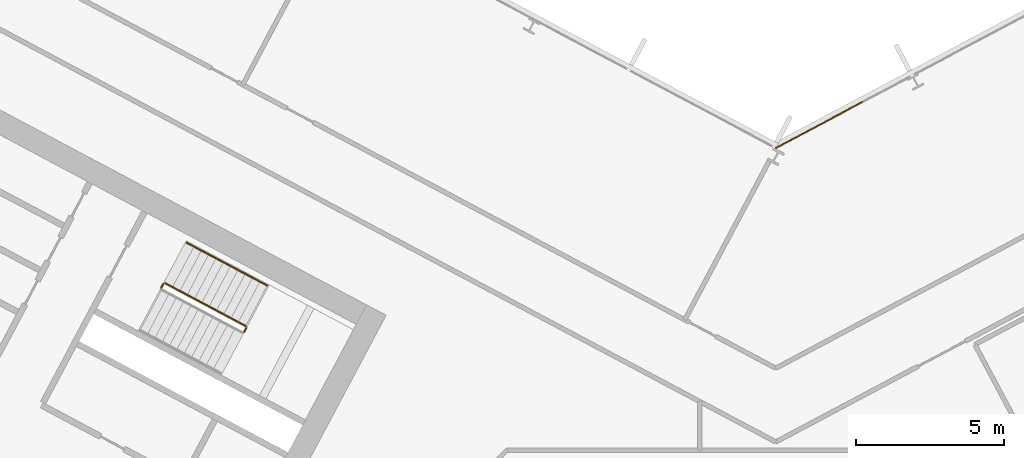
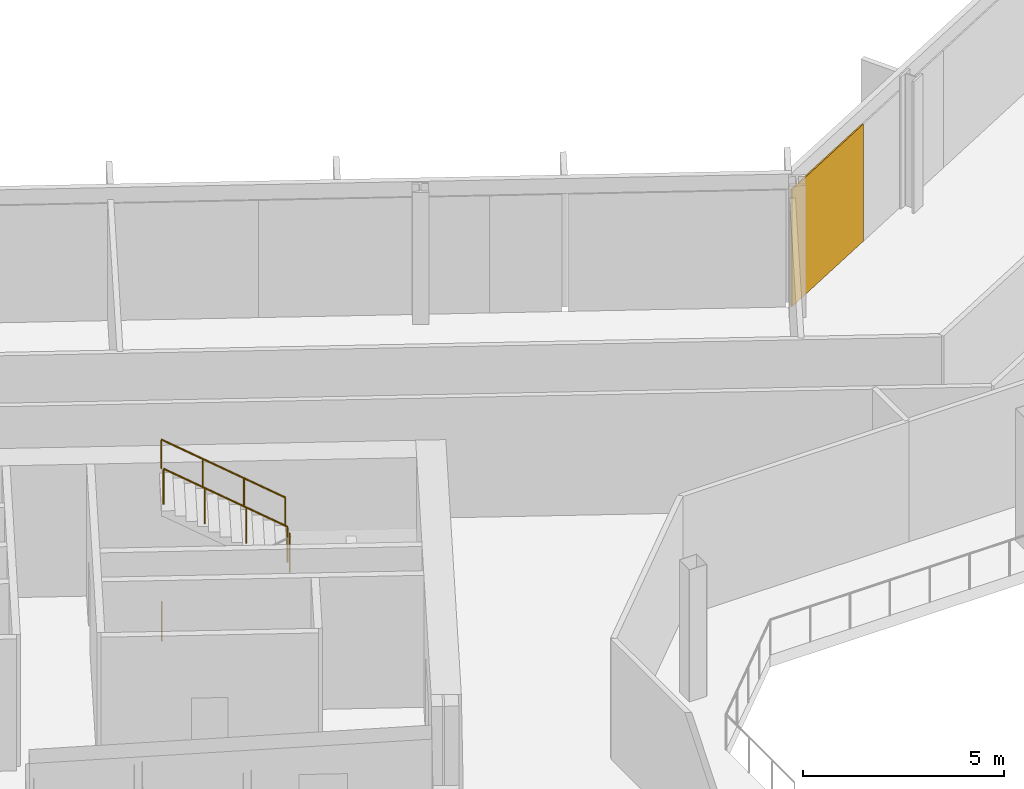
# One storey, part 23 of 28: 4 railings, 1 covering, 1 element without a shape of its own.
"""IFC4 building model written with IfcOpenShell, lengths in metres."""

from ifc_helpers import new_model, si_unit, direction, frame, origin, origin_2d, place, context, subcontext, project, spatial, polyline, rectangle, outline, extrude, material, layer, layer_set, type_object, element, aggregate, save


model = new_model("IFC4")

# Units and contexts
model_context = context("Model", 3, precision=1e-05, world=origin(), true_north=direction((0.0, 1.0)))
body_context = subcontext(model_context, "Body", "Model", "MODEL_VIEW")
ifc_project = project(units=[si_unit("LENGTHUNIT", "METRE"), si_unit("AREAUNIT", "SQUARE_METRE"), si_unit("VOLUMEUNIT", "CUBIC_METRE"), si_unit("PLANEANGLEUNIT", "RADIAN"), si_unit("MASSUNIT", "GRAM", prefix="KILO")], contexts=[model_context])

# Site, building, storey
site_placement = place(None, origin())
site = spatial("IfcSite", under=ifc_project, at=site_placement, CompositionType="ELEMENT")
building_placement = place(site_placement, origin())
building = spatial("IfcBuilding", under=site, at=building_placement, Name="Cormorant Relay Tower", CompositionType="ELEMENT")
storey_placement = place(building_placement, frame((0.0, 0.0, 162.199951171875)))
storey = spatial("IfcBuildingStorey", under=building, at=storey_placement, Name="L34", CompositionType="ELEMENT", Elevation=162.199951171875)

# Curtain wall, covering
ifc_material_1 = material(Name="Aluminium 6063-T6 anodised bronze", Category="aluminium")
ifc_layer_1 = layer(ifc_material_1, 0.199951171875)
ifc_layer_set_1 = layer_set([ifc_layer_1], Name="CW1 unitised bronze curtain wall with vertical fins")
curtain_wall_type = type_object("IfcCurtainWallType", Name="CW1 unitised bronze curtain wall with vertical fins", PredefinedType="NOTDEFINED", material=ifc_layer_set_1)
curtain_wall_placement = place(storey_placement, origin())
curtain_wall = element("IfcCurtainWall", 1, at=curtain_wall_placement, inside=storey, type_object=curtain_wall_type, Name="CW1 curtain wall 8", PredefinedType="NOTDEFINED")
ifc_material_2 = material(Name="Pale bronze anodised aluminium insulated panel", Category="aluminium")
ifc_layer_2 = layer(ifc_material_2, 0.0400390625)
ifc_layer_set_2 = layer_set([ifc_layer_2], Name="CW1 pale bronze insulated panel 40")
covering_type = type_object("IfcCoveringType", Name="CW1 pale bronze insulated panel 40", PredefinedType="CLADDING", material=ifc_layer_set_2)
covering_placement = place(storey_placement, frame((1.471435546875, 24.589111328125, 0.0), z_axis=(0.0, 0.0, 1.0), x_axis=(-0.882947592859, -0.469471562786, 0.0)))
covering = element("IfcCovering", 2, at=covering_placement, type_object=covering_type, Name="CW1 panel S10", PredefinedType="CLADDING", context=body_context, shape_type="SweptSolid", body=[
    extrude(rectangle(XDim=3.354248046875, YDim=0.0400390625, at=origin_2d()), origin(), (0.0, 0.0, 1.0), 3.550048828125),
])
aggregate(curtain_wall, [covering])

# Railings
ifc_material_3 = material(Name="Steel ASTM A572 Grade 50 (Fy 345 MPa)", Category="steel")
railing_type_1 = type_object("IfcRailingType", Name="Stair guard 1100", PredefinedType="GUARDRAIL", material=ifc_material_3)
railing_1_placement = place(storey_placement, frame((-17.96337890625, 17.592529296875, 2.0)))
element("IfcRailing", 3, at=railing_1_placement, inside=storey, type_object=railing_type_1, Name="L34 A1 stair guard 2", PredefinedType="GUARDRAIL", context=body_context, shape_type="SweptSolid", body=[
    extrude(outline(polyline([(0.022216796875, 0.00927734375), (0.00927734375, 0.022216796875), (-0.00927734375, 0.022216796875), (-0.022216796875, 0.00927734375), (-0.022216796875, -0.00927734375), (-0.00927734375, -0.022216796875), (0.00927734375, -0.022216796875), (0.022216796875, -0.00927734375), (0.022216796875, 0.00927734375)])), frame((0.0, 0.0, 1.076171875), z_axis=(0.46856034887, 0.8834314911, 0.0), x_axis=(-0.8834314911, 0.46856034887, 0.0)), (0.0, 0.0, 1.0), 0.150146484375),
    extrude(outline(polyline([(0.019287109375, 0.008056640625), (0.008056640625, 0.019287109375), (-0.008056640625, 0.019287109375), (-0.019287109375, 0.008056640625), (-0.019287109375, -0.008056640625), (-0.008056640625, -0.019287109375), (0.008056640625, -0.019287109375), (0.019287109375, -0.008056640625), (0.019287109375, 0.008056640625)])), origin(), (0.0, 0.0, 1.0), 1.052001953125),
    extrude(outline(polyline([(0.019287109375, 0.008056640625), (0.008056640625, 0.019287109375), (-0.008056640625, 0.019287109375), (-0.019287109375, 0.008056640625), (-0.019287109375, -0.008056640625), (-0.008056640625, -0.019287109375), (0.008056640625, -0.019287109375), (0.019287109375, -0.008056640625), (0.019287109375, 0.008056640625)])), frame((0.0703125, 0.132568359375, 0.0)), (0.0, 0.0, 1.0), 1.052001953125),
])
railing_2_placement = place(storey_placement, frame((-17.913818359375, 17.792724609375, 2.166748046875)))
element("IfcRailing", 4, at=railing_2_placement, inside=storey, type_object=railing_type_1, Name="L34 A1 stair guard 3", PredefinedType="GUARDRAIL", context=body_context, shape_type="SweptSolid", body=[
    extrude(outline(polyline([(0.022216796875, 0.00927734375), (0.00927734375, 0.022216796875), (-0.00927734375, 0.022216796875), (-0.022216796875, 0.00927734375), (-0.022216796875, -0.00927734375), (-0.00927734375, -0.022216796875), (0.00927734375, -0.022216796875), (0.022216796875, -0.00927734375), (0.022216796875, 0.00927734375)])), frame((0.0, 0.0, 1.076171875), z_axis=(-0.758734504837, 0.403377838015, 0.511476559549), x_axis=(-0.469427602063, -0.882970965786, 0.0)), (0.0, 0.0, 1.0), 3.584228515625),
    extrude(outline(polyline([(0.019287109375, 0.008056640625), (0.008056640625, 0.019287109375), (-0.008056640625, 0.019287109375), (-0.019287109375, 0.008056640625), (-0.019287109375, -0.008056640625), (-0.008056640625, -0.019287109375), (0.008056640625, -0.019287109375), (0.019287109375, -0.008056640625), (0.019287109375, 0.008056640625)])), origin(), (0.0, 0.0, 1.0), 1.052001953125),
    extrude(outline(polyline([(0.019287109375, 0.008056640625), (0.008056640625, 0.019287109375), (-0.008056640625, 0.019287109375), (-0.019287109375, 0.008056640625), (-0.019287109375, -0.008056640625), (-0.008056640625, -0.019287109375), (0.008056640625, -0.019287109375), (0.019287109375, -0.008056640625), (0.019287109375, 0.008056640625)])), frame((-0.906494140625, 0.48193359375, 0.611083984375)), (0.0, 0.0, 1.0), 1.052001953125),
    extrude(outline(polyline([(0.019287109375, 0.008056640625), (0.008056640625, 0.019287109375), (-0.008056640625, 0.019287109375), (-0.019287109375, 0.008056640625), (-0.019287109375, -0.008056640625), (-0.008056640625, -0.019287109375), (0.008056640625, -0.019287109375), (0.019287109375, -0.008056640625), (0.019287109375, 0.008056640625)])), frame((-1.81298828125, 0.9638671875, 1.22216796875)), (0.0, 0.0, 1.0), 1.052001953125),
    extrude(outline(polyline([(0.019287109375, 0.008056640625), (0.008056640625, 0.019287109375), (-0.008056640625, 0.019287109375), (-0.019287109375, 0.008056640625), (-0.019287109375, -0.008056640625), (-0.008056640625, -0.019287109375), (0.008056640625, -0.019287109375), (0.019287109375, -0.008056640625), (0.019287109375, 0.008056640625)])), frame((-2.719482421875, 1.44580078125, 1.833251953125)), (0.0, 0.0, 1.0), 1.052001953125),
])
railing_3_placement = place(storey_placement, frame((-20.771240234375, 19.08544921875, 0.0)))
element("IfcRailing", 5, at=railing_3_placement, inside=storey, type_object=railing_type_1, Name="L34 A1 stair guard 4", PredefinedType="GUARDRAIL", context=body_context, shape_type="SweptSolid", body=[
    extrude(outline(polyline([(0.022216796875, 0.00927734375), (0.00927734375, 0.022216796875), (-0.00927734375, 0.022216796875), (-0.022216796875, 0.00927734375), (-0.022216796875, -0.00927734375), (-0.00927734375, -0.022216796875), (0.00927734375, -0.022216796875), (0.022216796875, -0.00927734375), (0.022216796875, 0.00927734375)])), frame((0.0, 0.0, 1.076171875), z_axis=(0.469828648786, 0.882757634224, 0.0), x_axis=(-0.882757634224, 0.469828648786, 0.0)), (0.0, 0.0, 1.0), 0.150146484375),
    extrude(outline(polyline([(0.019287109375, 0.008056640625), (0.008056640625, 0.019287109375), (-0.008056640625, 0.019287109375), (-0.019287109375, 0.008056640625), (-0.019287109375, -0.008056640625), (-0.008056640625, -0.019287109375), (0.008056640625, -0.019287109375), (0.019287109375, -0.008056640625), (0.019287109375, 0.008056640625)])), origin(), (0.0, 0.0, 1.0), 1.052001953125),
    extrude(outline(polyline([(0.019287109375, 0.008056640625), (0.008056640625, 0.019287109375), (-0.008056640625, 0.019287109375), (-0.019287109375, 0.008056640625), (-0.019287109375, -0.008056640625), (-0.008056640625, -0.019287109375), (0.008056640625, -0.019287109375), (0.019287109375, -0.008056640625), (0.019287109375, 0.008056640625)])), frame((0.070556640625, 0.132568359375, 0.0)), (0.0, 0.0, 1.0), 1.052001953125),
])
ifc_material_4 = material(Name="Steel ASTM A572 Grade 50 (Fy 345 MPa)", Category="steel")
railing_type_2 = type_object("IfcRailingType", Name="Stair handrail 900", PredefinedType="HANDRAIL", material=ifc_material_4)
railing_4_placement = place(storey_placement, frame((-17.18603515625, 19.1611328125, 2.166748046875)))
element("IfcRailing", 6, at=railing_4_placement, inside=storey, type_object=railing_type_2, Name="L34 A1 stair handrail 2", PredefinedType="HANDRAIL", context=body_context, shape_type="SweptSolid", body=[
    extrude(outline(polyline([(0.022216796875, 0.00927734375), (0.00927734375, 0.022216796875), (-0.00927734375, 0.022216796875), (-0.022216796875, 0.00927734375), (-0.022216796875, -0.00927734375), (-0.00927734375, -0.022216796875), (0.00927734375, -0.022216796875), (0.022216796875, -0.00927734375), (0.022216796875, 0.00927734375)])), frame((0.0, 0.0, 0.8759765625), z_axis=(-0.758713656843, 0.403434867536, 0.511462505542), x_axis=(-0.469489399267, -0.882938108802, 0.0)), (0.0, 0.0, 1.0), 3.584228515625),
    extrude(outline(polyline([(0.019287109375, 0.008056640625), (0.008056640625, 0.019287109375), (-0.008056640625, 0.019287109375), (-0.019287109375, 0.008056640625), (-0.019287109375, -0.008056640625), (-0.008056640625, -0.019287109375), (0.008056640625, -0.019287109375), (0.019287109375, -0.008056640625), (0.019287109375, 0.008056640625)])), origin(), (0.0, 0.0, 1.0), 0.851806640625),
    extrude(outline(polyline([(0.019287109375, 0.008056640625), (0.008056640625, 0.019287109375), (-0.008056640625, 0.019287109375), (-0.019287109375, 0.008056640625), (-0.019287109375, -0.008056640625), (-0.008056640625, -0.019287109375), (0.008056640625, -0.019287109375), (0.019287109375, -0.008056640625), (0.019287109375, 0.008056640625)])), frame((-0.906494140625, 0.48193359375, 0.611083984375)), (0.0, 0.0, 1.0), 0.851806640625),
    extrude(outline(polyline([(0.019287109375, 0.008056640625), (0.008056640625, 0.019287109375), (-0.008056640625, 0.019287109375), (-0.019287109375, 0.008056640625), (-0.019287109375, -0.008056640625), (-0.008056640625, -0.019287109375), (0.008056640625, -0.019287109375), (0.019287109375, -0.008056640625), (0.019287109375, 0.008056640625)])), frame((-1.81298828125, 0.964111328125, 1.22216796875)), (0.0, 0.0, 1.0), 0.851806640625),
    extrude(outline(polyline([(0.019287109375, 0.008056640625), (0.008056640625, 0.019287109375), (-0.008056640625, 0.019287109375), (-0.019287109375, 0.008056640625), (-0.019287109375, -0.008056640625), (-0.008056640625, -0.019287109375), (0.008056640625, -0.019287109375), (0.019287109375, -0.008056640625), (0.019287109375, 0.008056640625)])), frame((-2.719482421875, 1.446044921875, 1.833251953125)), (0.0, 0.0, 1.0), 0.851806640625),
])

save(model, "model.ifc")
